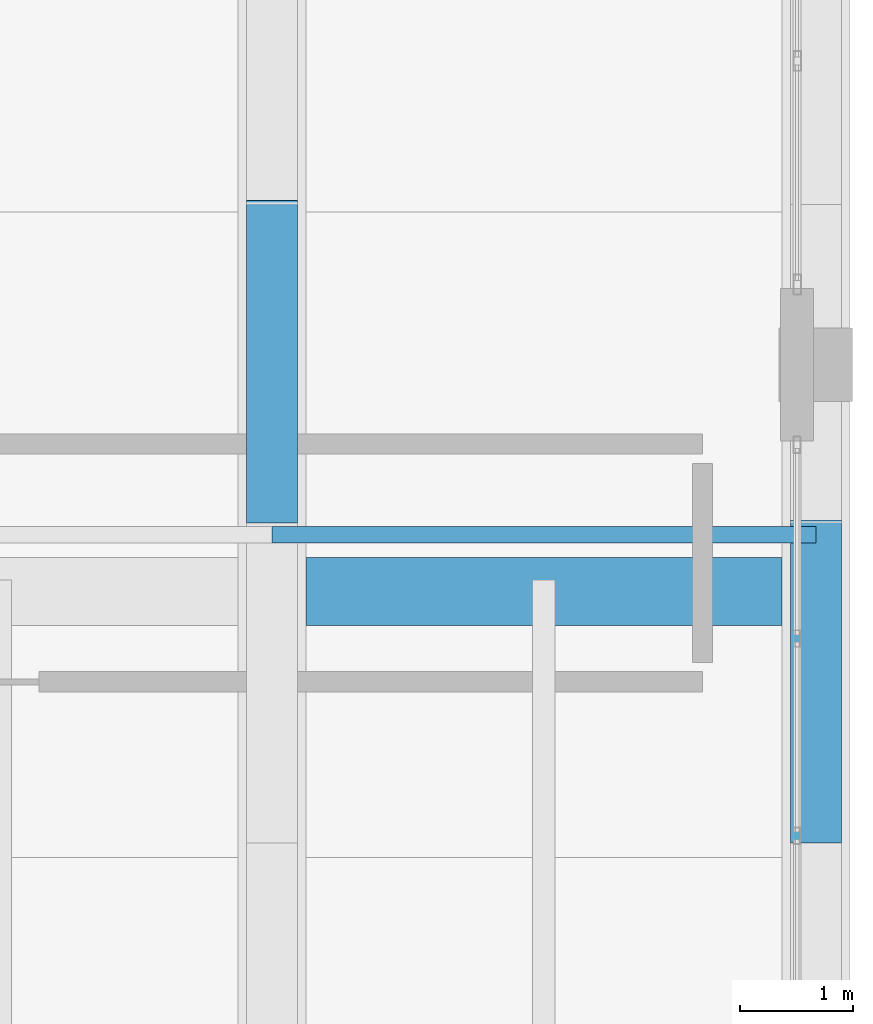
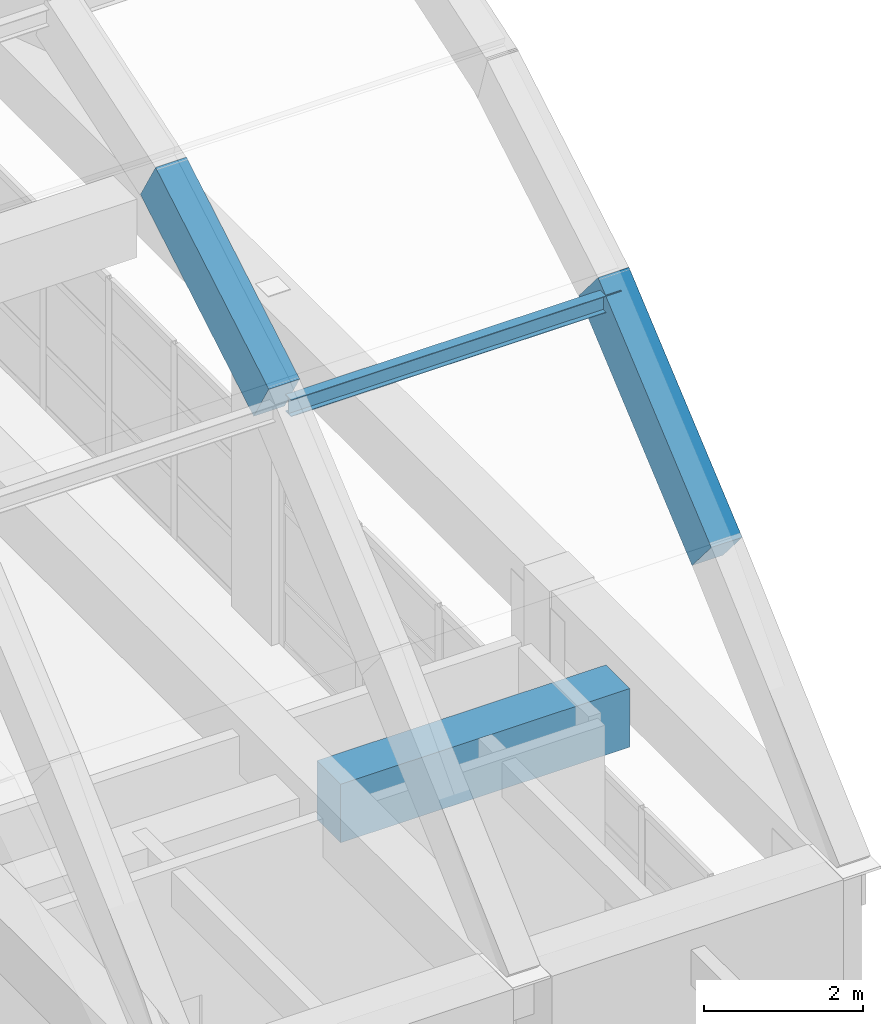
# One storey, part 45 of 78: 3 beams, 1 member.
"""IFC4 building model written with IfcOpenShell, lengths in metres."""

from ifc_helpers import new_model, si_unit, direction, frame, origin, origin_2d, place, context, subcontext, project, spatial, rectangle, i_section, extrude, material, material_profile, profile_set, type_object, element, save


model = new_model("IFC4")

# Units and contexts
model_context = context("Model", 3, precision=1e-05, world=origin(), true_north=direction((0.0, 1.0)))
body_context = subcontext(model_context, "Body", "Model", "MODEL_VIEW")
ifc_project = project(units=[si_unit("LENGTHUNIT", "METRE"), si_unit("AREAUNIT", "SQUARE_METRE"), si_unit("VOLUMEUNIT", "CUBIC_METRE"), si_unit("PLANEANGLEUNIT", "RADIAN"), si_unit("MASSUNIT", "GRAM", prefix="KILO")], contexts=[model_context])

# Site, building, storey
site_placement = place(None, origin())
site = spatial("IfcSite", under=ifc_project, at=site_placement, CompositionType="ELEMENT")
building_placement = place(site_placement, origin())
building = spatial("IfcBuilding", under=site, at=building_placement, Name="Quendrovan Civic Courthouse", CompositionType="ELEMENT")
storey_placement = place(building_placement, frame((0.0, 0.0, 20.39990234375)))
storey = spatial("IfcBuildingStorey", under=building, at=storey_placement, Name="L05", CompositionType="ELEMENT", Elevation=20.39990234375)

# Beams
ifc_material_1 = material(Name="Concrete C40/50", Category="concrete")
ifc_material_profile_1 = material_profile(ifc_material_1, rectangle(XDim=0.60009765625, YDim=0.89990234375, at=origin_2d()), Name="RC-BM-600x900")
ifc_profile_set_1 = profile_set([ifc_material_profile_1], Name="Concrete C40/50")
beam_type_1 = type_object("IfcBeamType", Name="BM-RC900", PredefinedType="BEAM", material=ifc_profile_set_1)
beam_1_placement = place(storey_placement, frame((138.300048828125, 92.800048828125, 4.35009765625), z_axis=(1.0, 0.0, 0.0), x_axis=(0.0, 1.0, 0.0)))
element("IfcBeam", 1, at=beam_1_placement, inside=storey, type_object=beam_type_1, Name="BV1 Eave Backspan Collector Beam S-B7", PredefinedType="BEAM", context=body_context, shape_type="SweptSolid", body=[
    extrude(rectangle(XDim=0.60009765625, YDim=0.89990234375, at=origin_2d()), origin(), (0.0, 0.0, 1.0), 4.199951171875),
])
ifc_material_profile_2 = material_profile(ifc_material_1, rectangle(XDim=0.449951171875, YDim=0.75, at=origin_2d()), Name="RC-VRIB-450x750")
ifc_profile_set_2 = profile_set([ifc_material_profile_2], Name="Concrete C40/50")
beam_type_2 = type_object("IfcBeamType", Name="BM-VRIB750", PredefinedType="BEAM", material=ifc_profile_set_2)
beam_2_placement = place(storey_placement, frame((138.0, 93.592041015625, 10.180908203125), z_axis=(0.0, 0.861355141515, 0.508003267889), x_axis=(-1.0, 0.0, 0.0)))
element("IfcBeam", 2, at=beam_2_placement, inside=storey, type_object=beam_type_2, Name="BV1 Concrete Vault Arch Rib A7-C3", PredefinedType="BEAM", context=body_context, shape_type="SweptSolid", body=[
    extrude(rectangle(XDim=0.449951171875, YDim=0.75, at=origin_2d()), origin(), (0.0, 0.0, 1.0), 3.308837890625),
])
beam_3_placement = place(storey_placement, frame((142.800048828125, 90.822021484375, 7.818603515625), z_axis=(0.0, 0.762387086329, 0.647121264214), x_axis=(-1.0, 0.0, 0.0)))
element("IfcBeam", 3, at=beam_3_placement, inside=storey, type_object=beam_type_2, Name="BV1 Concrete Vault Arch Rib A8-C2", PredefinedType="BEAM", context=body_context, shape_type="SweptSolid", body=[
    extrude(rectangle(XDim=0.449951171875, YDim=0.75, at=origin_2d()), origin(), (0.0, 0.0, 1.0), 3.73828125),
])

# Member
ifc_material_2 = material(Name="Steel ASTM A992 Grade 50", Category="steel")
ifc_material_profile_3 = material_profile(ifc_material_2, i_section(OverallWidth=0.14599609375, OverallDepth=0.258056640625, WebThickness=0.006103515625, FlangeThickness=0.009033203125, at=origin_2d()), Name="W250x33")
ifc_profile_set_3 = profile_set([ifc_material_profile_3], Name="Steel ASTM A992 Grade 50")
member_type = type_object("IfcMemberType", Name="MEM-PUR-W250", PredefinedType="PURLIN", material=ifc_profile_set_3)
member_placement = place(storey_placement, frame((138.0, 93.300048828125, 10.236083984375), z_axis=(1.0, 0.0, 0.0), x_axis=(0.0, 1.0, 0.0)))
element("IfcMember", 4, at=member_placement, inside=storey, type_object=member_type, Name="BV1 Vault Longitudinal Purlin B7-1", PredefinedType="PURLIN", context=body_context, shape_type="SweptSolid", body=[
    extrude(i_section(OverallWidth=0.14599609375, OverallDepth=0.258056640625, WebThickness=0.006103515625, FlangeThickness=0.009033203125, at=origin_2d()), origin(), (0.0, 0.0, 1.0), 4.800048828125),
])

save(model, "model.ifc")
